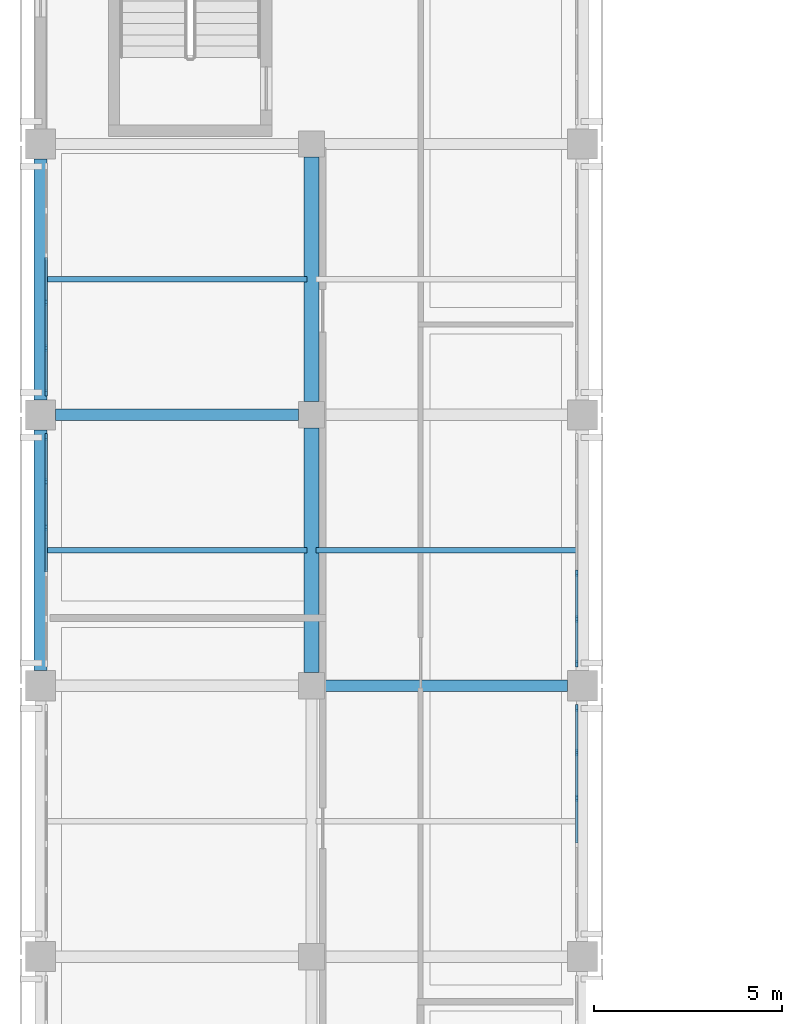
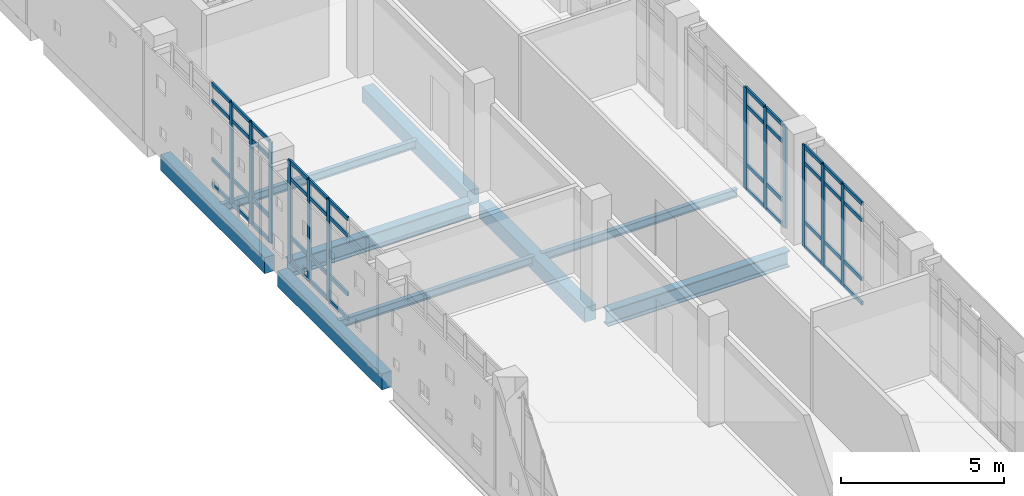
# One storey, part 11 of 33: 56 members, 9 beams, 4 elements without a shape of their own.
"""IFC4 building model written with IfcOpenShell, lengths in metres."""

import ifcopenshell
import ifcopenshell.guid

model = None  # the IFC model being written
_history = None  # IfcOwnerHistory: only IFC2X3 demands one
_inside = {}  # id of a spatial element -> (the spatial element, [elements in it])
_under = {}  # id of a project, library or spatial element -> (it, [spatial elements below it])
_declared = {}  # id of a project -> (the project, [libraries it declares])
_typed = {}  # id of a type object -> (the type object, [elements of that type])
_made_of = {}  # id of a material, layer set ... -> (it, [elements and type objects made of it])


def new_model(schema):
    """Start an empty IFC model of exactly this schema.

    Asked for "IFC4X3", IfcOpenShell would pick the latest addendum, in which some entities
    have other attributes; the version numbers below select the first issue.
    IFC2X3 requires an IfcOwnerHistory on every rooted entity: one is made here for all.
    """
    global model, _history
    if schema == "IFC4X3":
        model = ifcopenshell.file(schema_version=(4, 3, 0, 0))
    else:
        model = ifcopenshell.file(schema=schema)
    _inside.clear()
    _under.clear()
    _declared.clear()
    _typed.clear()
    _made_of.clear()
    _history = None
    if model.schema == "IFC2X3":
        org = make("IfcOrganization", Name="unknown")
        user = make(
            "IfcPersonAndOrganization",
            ThePerson=make("IfcPerson", FamilyName="unknown"),
            TheOrganization=org,
        )
        app = make(
            "IfcApplication",
            ApplicationDeveloper=org,
            Version="unknown",
            ApplicationFullName="unknown",
            ApplicationIdentifier="unknown",
        )
        _history = make(
            "IfcOwnerHistory",
            OwningUser=user,
            OwningApplication=app,
            ChangeAction="ADDED",
            CreationDate=0,
        )
    return model


def make(cls, **values):
    """One entity of the class cls with the attributes given. An attribute that is None is left unset."""
    return model.create_entity(
        cls, **{name: value for name, value in values.items() if value is not None}
    )


def rooted(cls, **values):
    """An entity with a GlobalId (a new one), such as an element, a storey or a relation."""
    return make(cls, GlobalId=ifcopenshell.guid.new(), OwnerHistory=_history, **values)


def si_unit(unit_type, name, prefix=None):
    """IfcSIUnit, for example si_unit("LENGTHUNIT", "METRE", prefix="MILLI")."""
    return make("IfcSIUnit", UnitType=unit_type, Prefix=prefix, Name=name)


def assignment(units):
    """IfcUnitAssignment: the units of a project."""
    return None if units is None else make("IfcUnitAssignment", Units=units)


def point(xyz):
    """IfcCartesianPoint."""
    return None if xyz is None else make("IfcCartesianPoint", Coordinates=xyz)


def direction(xyz):
    """IfcDirection."""
    return None if xyz is None else make("IfcDirection", DirectionRatios=xyz)


def frame(location, z_axis=None, x_axis=None):
    """IfcAxis2Placement3D, a coordinate frame: its origin and axes. An axis left out is left unset."""
    return make(
        "IfcAxis2Placement3D",
        Location=point(location),
        Axis=direction(z_axis),
        RefDirection=direction(x_axis),
    )


def frame_2d(location, x_axis=None):
    """IfcAxis2Placement2D, a coordinate frame in the plane: its origin and x axis."""
    return make(
        "IfcAxis2Placement2D", Location=point(location), RefDirection=direction(x_axis)
    )


def origin():
    """The frame at (0, 0, 0) with its axes left unset."""
    return frame((0.0, 0.0, 0.0))


def origin_2d():
    """The frame at (0, 0) in the plane with its x axis left unset."""
    return frame_2d((0.0, 0.0))


def place(relative_to, where):
    """IfcLocalPlacement: puts the frame where relative to a parent placement (None: the world)."""
    return make(
        "IfcLocalPlacement", PlacementRelTo=relative_to, RelativePlacement=where
    )


def context(
    kind, dimensions, precision=None, world=None, true_north=None, identifier=None
):
    """IfcGeometricRepresentationContext, for example the 3D "Model" context."""
    return make(
        "IfcGeometricRepresentationContext",
        ContextIdentifier=identifier,
        ContextType=kind,
        CoordinateSpaceDimension=dimensions,
        Precision=precision,
        WorldCoordinateSystem=world,
        TrueNorth=true_north,
    )


def subcontext(parent, identifier, kind, view, scale=None):
    """IfcGeometricRepresentationSubContext, for example "Body" below "Model"."""
    return make(
        "IfcGeometricRepresentationSubContext",
        ContextIdentifier=identifier,
        ContextType=kind,
        ParentContext=parent,
        TargetScale=scale,
        TargetView=view,
    )


def project(units=None, contexts=None):
    """IfcProject with its units and contexts."""
    return rooted(
        "IfcProject",
        Name="project",
        RepresentationContexts=contexts,
        UnitsInContext=assignment(units),
    )


def spatial(cls, under=None, at=None, **own):
    """A site, building, storey or space (cls), placed at a placement, below another one or the project."""
    s = rooted(cls, ObjectPlacement=at, **own)
    if under is not None:
        _under.setdefault(under.id(), (under, []))[1].append(s)
    return s


def profile(cls, at=None, kind="AREA", **sizes):
    """A parametric profile (cls). Its sizes go by their IFC names, for example OverallWidth=200.0."""
    return make(cls, ProfileType=kind, Position=at, **sizes)


def rectangle(**sizes):
    """IfcRectangleProfileDef."""
    return profile("IfcRectangleProfileDef", **sizes)


def i_section(**sizes):
    """IfcIShapeProfileDef."""
    return profile("IfcIShapeProfileDef", **sizes)


def extrude(swept, where, along, depth):
    """IfcExtrudedAreaSolid: the profile swept, set in the frame where, extruded along a direction by depth."""
    return make(
        "IfcExtrudedAreaSolid",
        SweptArea=swept,
        Position=where,
        ExtrudedDirection=direction(along),
        Depth=depth,
    )


def shape(context_of_items, identifier, shape_type, items):
    """IfcShapeRepresentation: the items that make up one representation, for example the "Body"."""
    return make(
        "IfcShapeRepresentation",
        ContextOfItems=context_of_items,
        RepresentationIdentifier=identifier,
        RepresentationType=shape_type,
        Items=items,
    )


def material(Name=None, Category=None):
    """IfcMaterial."""
    return make("IfcMaterial", Name=Name, Category=Category)


def layer(
    of_material, thickness, ventilated=None, Name=None, Category=None, Priority=None
):
    """IfcMaterialLayer: one layer of a wall or slab, of a material (None: an air gap)."""
    return make(
        "IfcMaterialLayer",
        Material=of_material,
        LayerThickness=thickness,
        IsVentilated=ventilated,
        Name=Name,
        Category=Category,
        Priority=Priority,
    )


def layer_set(layers, Name=None):
    """IfcMaterialLayerSet."""
    return make("IfcMaterialLayerSet", MaterialLayers=layers, LayerSetName=Name)


def material_profile(
    of_material, cross_section, Name=None, Category=None, Priority=None
):
    """IfcMaterialProfile: a cross section and its material."""
    return make(
        "IfcMaterialProfile",
        Name=Name,
        Material=of_material,
        Profile=cross_section,
        Priority=Priority,
        Category=Category,
    )


def profile_set(profiles, Name=None, composite=None):
    """IfcMaterialProfileSet."""
    return make(
        "IfcMaterialProfileSet",
        Name=Name,
        MaterialProfiles=profiles,
        CompositeProfile=composite,
    )


def made_of(thing, what):
    """Note that an element or type object is made of a material, layer set ...; save() writes the relation."""
    if what is not None:
        _made_of.setdefault(what.id(), (what, []))[1].append(thing)
    return thing


def type_object(cls, material=None, **own):
    """A type object (cls), such as IfcWallType, which elements share."""
    return made_of(rooted(cls, **own), material)


def element(
    cls,
    number,
    at=None,
    inside=None,
    cuts=None,
    type_object=None,
    material=None,
    context=None,
    identifier="Body",
    shape_type=None,
    held_by="IfcProductDefinitionShape",
    body=None,
    shapes=None,
    **own,
):
    """One element of the class cls, such as IfcWall. Its Tag is "e" and its number.

    at: its placement. inside: the storey or other place that contains it. cuts: it is an
    opening in that element (IfcRelVoidsElement). A single representation is given by context,
    identifier, shape_type and body (its items); several are given by shapes. held_by: the class
    of the entity that holds the representations. save() writes the other relations.
    """
    e = rooted(cls, Tag="e%d" % number, ObjectPlacement=at, **own)
    if body is not None:
        shapes = [shape(context, identifier, shape_type, body)]
    if shapes is not None:
        e.Representation = make(held_by, Representations=shapes)
    if inside is not None:
        _inside.setdefault(inside.id(), (inside, []))[1].append(e)
    if cuts is not None:
        rooted(
            "IfcRelVoidsElement", RelatingBuildingElement=cuts, RelatedOpeningElement=e
        )
    if type_object is not None:
        _typed.setdefault(type_object.id(), (type_object, []))[1].append(e)
    return made_of(e, material)


def aggregate(whole, parts):
    """IfcRelAggregates: a whole, such as a stair, and the parts it consists of."""
    return rooted("IfcRelAggregates", RelatingObject=whole, RelatedObjects=parts)


def save(model, path):
    """Write the relations noted so far, then the file.

    IfcRelAggregates (storeys below a building ...), IfcRelContainedInSpatialStructure (elements
    in a storey), IfcRelDefinesByType, IfcRelAssociatesMaterial and IfcRelDeclares: one each for
    every whole, place, type object, material and project.
    """
    for whole, parts in _under.values():
        aggregate(whole, parts)
    for where, things in _inside.values():
        rooted(
            "IfcRelContainedInSpatialStructure",
            RelatedElements=things,
            RelatingStructure=where,
        )
    for kind, things in _typed.values():
        rooted("IfcRelDefinesByType", RelatedObjects=things, RelatingType=kind)
    for what, things in _made_of.values():
        rooted("IfcRelAssociatesMaterial", RelatedObjects=things, RelatingMaterial=what)
    for by, libraries in _declared.values():
        rooted("IfcRelDeclares", RelatingContext=by, RelatedDefinitions=libraries)
    model.write(path)


model = new_model("IFC4")

# Units and contexts
model_context = context("Model", 3, precision=1e-05, world=origin(), true_north=direction((0.0, 1.0)))
body_context = subcontext(model_context, "Body", "Model", "MODEL_VIEW")
ifc_project = project(units=[si_unit("LENGTHUNIT", "METRE"), si_unit("AREAUNIT", "SQUARE_METRE"), si_unit("VOLUMEUNIT", "CUBIC_METRE"), si_unit("PLANEANGLEUNIT", "RADIAN"), si_unit("MASSUNIT", "GRAM", prefix="KILO")], contexts=[model_context])

# Site, building, storey
site_placement = place(None, origin())
site = spatial("IfcSite", under=ifc_project, at=site_placement, CompositionType="ELEMENT")
building_placement = place(site_placement, origin())
building = spatial("IfcBuilding", under=site, at=building_placement, Name="Valkovuoma Quantum and Materials Research Institute", CompositionType="ELEMENT")
storey_placement = place(building_placement, frame((0.0, 0.0, 25.60009765625)))
storey = spatial("IfcBuildingStorey", under=building, at=storey_placement, Name="L06", CompositionType="ELEMENT", Elevation=25.60009765625)

# Beams
ifc_material_1 = material(Name="Steel S355J2", Category="steel")
ifc_material_profile_1 = material_profile(ifc_material_1, i_section(OverallWidth=0.300048828125, OverallDepth=0.60009765625, WebThickness=0.015380859375, FlangeThickness=0.030029296875, FilletRadius=0.027099609375, at=origin_2d()), Name="Steel S355J2")
ifc_profile_set_1 = profile_set([ifc_material_profile_1], Name="Steel S355J2")
beam_type_1 = type_object("IfcBeamType", Name="Beam-B-HEB600", PredefinedType="BEAM", material=ifc_profile_set_1)
beam_1_placement = place(storey_placement, frame((7.550048828125, 57.60009765625, -0.650146484375), z_axis=(1.0, 0.0, 0.0), x_axis=(0.0, 1.0, 0.0)))
element("IfcBeam", 1, at=beam_1_placement, inside=storey, type_object=beam_type_1, Name="L06 beam X-2331", PredefinedType="BEAM", context=body_context, shape_type="SweptSolid", body=[
    extrude(i_section(OverallWidth=0.300048828125, OverallDepth=0.60009765625, WebThickness=0.015380859375, FlangeThickness=0.030029296875, FilletRadius=0.027099609375, at=origin_2d()), origin(), (0.0, 0.0, 1.0), 6.449951171875),
])
beam_2_placement = place(storey_placement, frame((0.39990234375, 64.800048828125, -0.650146484375), z_axis=(1.0, 0.0, 0.0), x_axis=(0.0, 1.0, 0.0)))
element("IfcBeam", 2, at=beam_2_placement, inside=storey, type_object=beam_type_1, Name="L06 beam X-2337", PredefinedType="BEAM", context=body_context, shape_type="SweptSolid", body=[
    extrude(i_section(OverallWidth=0.300048828125, OverallDepth=0.60009765625, WebThickness=0.015380859375, FlangeThickness=0.030029296875, FilletRadius=0.027099609375, at=origin_2d()), origin(), (0.0, 0.0, 1.0), 6.4501953125),
])
ifc_material_2 = material(Name="Steel S355J2", Category="steel")
ifc_material_profile_2 = material_profile(ifc_material_2, i_section(OverallWidth=0.14990234375, OverallDepth=0.300048828125, WebThickness=0.007080078125, FlangeThickness=0.0107421875, FilletRadius=0.014892578125, at=origin_2d()), Name="Steel S355J2")
ifc_profile_set_2 = profile_set([ifc_material_profile_2], Name="Steel S355J2")
beam_type_2 = type_object("IfcBeamType", Name="Beam-B-JST300", PredefinedType="JOIST", material=ifc_profile_set_2)
for number, where, z_axis, x_axis, name in (
    (3, (0.1201171875, 61.199951171875, -0.5), (1.0, 0.0, 0.0), (0.0, 1.0, 0.0), "L06 floor joist 2448"),
    (4, (7.320068359375, 61.199951171875, -0.5), (1.0, 0.0, 0.0), (0.0, 1.0, 0.0), "L06 floor joist 2449"),
    (5, (0.1201171875, 68.39990234375, -0.5), (1.0, 0.0, 0.0), (0.0, 1.0, 0.0), "L06 floor joist 2454"),
):
    element("IfcBeam", number, at=place(storey_placement, frame(where, z_axis=z_axis, x_axis=x_axis)), inside=storey, type_object=beam_type_2, Name=name, PredefinedType="JOIST", context=body_context, shape_type="SweptSolid", body=[
        extrude(i_section(OverallWidth=0.14990234375, OverallDepth=0.300048828125, WebThickness=0.007080078125, FlangeThickness=0.0107421875, FilletRadius=0.014892578125, at=origin_2d()), origin(), (0.0, 0.0, 1.0), 6.9599609375),
    ])
ifc_material_3 = material(Name="Concrete C40/50", Category="concrete")
ifc_material_profile_3 = material_profile(ifc_material_3, rectangle(XDim=0.39990234375, YDim=0.550048828125, at=origin_2d()), Name="Concrete C40/50")
ifc_profile_set_3 = profile_set([ifc_material_profile_3], Name="Concrete C40/50")
beam_type_3 = type_object("IfcBeamType", Name="Beam-B-RC550", PredefinedType="BEAM", material=ifc_profile_set_3)
for number, where, z_axis, x_axis, name in (
    (6, (7.199951171875, 57.949951171875, -0.625), (0.0, 1.0, 0.0), (-1.0, 0.0, 0.0), "L06 beam Y-2389"),
    (7, (7.199951171875, 65.14990234375, -0.625), (0.0, 1.0, 0.0), (-1.0, 0.0, 0.0), "L06 beam Y-2390"),
):
    element("IfcBeam", number, at=place(storey_placement, frame(where, z_axis=z_axis, x_axis=x_axis)), inside=storey, type_object=beam_type_3, Name=name, PredefinedType="BEAM", context=body_context, shape_type="SweptSolid", body=[
        extrude(rectangle(XDim=0.39990234375, YDim=0.550048828125, at=origin_2d()), origin(), (0.0, 0.0, 1.0), 6.5),
    ])
ifc_material_4 = material(Name="Concrete C40/50", Category="concrete")
ifc_material_profile_4 = material_profile(ifc_material_4, rectangle(XDim=0.35009765625, YDim=0.60009765625, at=origin_2d()), Name="Concrete C40/50")
ifc_profile_set_4 = profile_set([ifc_material_profile_4], Name="Concrete C40/50")
beam_type_4 = type_object("IfcBeamType", Name="Beam-B-SPN600", PredefinedType="SPANDREL", material=ifc_profile_set_4)
beam_3_placement = place(storey_placement, frame((0.0, 58.0, -0.650146484375), z_axis=(0.0, 1.0, 0.0), x_axis=(-1.0, 0.0, 0.0)))
element("IfcBeam", 8, at=beam_3_placement, inside=storey, type_object=beam_type_4, Name="L06 beam Y-2384", PredefinedType="SPANDREL", context=body_context, shape_type="SweptSolid", body=[
    extrude(rectangle(XDim=0.35009765625, YDim=0.60009765625, at=origin_2d()), origin(), (0.0, 0.0, 1.0), 6.39990234375),
])
beam_4_placement = place(storey_placement, frame((0.0, 65.199951171875, -0.650146484375), z_axis=(0.0, 1.0, 0.0), x_axis=(-1.0, 0.0, 0.0)))
element("IfcBeam", 9, at=beam_4_placement, inside=storey, type_object=beam_type_4, Name="L06 beam Y-2385", PredefinedType="SPANDREL", context=body_context, shape_type="SweptSolid", body=[
    extrude(rectangle(XDim=0.35009765625, YDim=0.60009765625, at=origin_2d()), origin(), (0.0, 0.0, 1.0), 6.400146484375),
])

# Curtain wall, members
ifc_material_5 = material(Name="Thermally broken aluminium and triple low-E glazing", Category="aluminium")
ifc_layer = layer(ifc_material_5, 0.219970703125)
ifc_layer_set = layer_set([ifc_layer], Name="Thermally broken aluminium and triple low-E glazing")
curtain_wall_type = type_object("IfcCurtainWallType", Name="CW-CW-01", PredefinedType="NOTDEFINED", material=ifc_layer_set)
curtain_wall_1_placement = place(storey_placement, origin())
curtain_wall_1 = element("IfcCurtainWall", 10, at=curtain_wall_1_placement, inside=storey, type_object=curtain_wall_type, Name="L06 curtain wall 081", PredefinedType="NOTDEFINED")
ifc_material_6 = material(Name="Anodised aluminium 6060-T66", Category="aluminium")
ifc_material_profile_5 = material_profile(ifc_material_6, rectangle(XDim=0.06494140625, YDim=0.179931640625, at=origin_2d()), Name="Anodised aluminium 6060-T66")
ifc_profile_set_5 = profile_set([ifc_material_profile_5], Name="Anodised aluminium 6060-T66")
member_type_1 = type_object("IfcMemberType", Name="CWMull-CWM-01", PredefinedType="MULLION", material=ifc_profile_set_5)
member_1_placement = place(storey_placement, frame((14.25, 54.608642578125, 0.0), z_axis=(0.0, 0.0, 1.0), x_axis=(-1.0, 0.0, 0.0)))
member_1 = element("IfcMember", 11, at=member_1_placement, type_object=member_type_1, Name="CW-01 mullion 4", PredefinedType="MULLION", context=body_context, shape_type="SweptSolid", body=[
    extrude(rectangle(XDim=0.06494140625, YDim=0.179931640625, at=origin_2d()), origin(), (0.0, 0.0, 1.0), 3.809814453125),
])
member_2_placement = place(storey_placement, frame((14.25, 55.82568359375, 0.0), z_axis=(0.0, 0.0, 1.0), x_axis=(-1.0, 0.0, 0.0)))
member_2 = element("IfcMember", 12, at=member_2_placement, type_object=member_type_1, Name="CW-01 mullion 5", PredefinedType="MULLION", context=body_context, shape_type="SweptSolid", body=[
    extrude(rectangle(XDim=0.06494140625, YDim=0.179931640625, at=origin_2d()), origin(), (0.0, 0.0, 1.0), 3.809814453125),
])
member_3_placement = place(storey_placement, frame((14.25, 57.010498046875, 0.0), z_axis=(0.0, 0.0, 1.0), x_axis=(-1.0, 0.0, 0.0)))
member_3 = element("IfcMember", 13, at=member_3_placement, type_object=member_type_1, Name="CW-01 mullion 6", PredefinedType="MULLION", context=body_context, shape_type="SweptSolid", body=[
    extrude(rectangle(XDim=0.06494140625, YDim=0.179931640625, at=origin_2d()), origin(), (0.0, 0.0, 1.0), 3.809814453125),
])

curtain_wall_2_placement = place(storey_placement, origin())
curtain_wall_2 = element("IfcCurtainWall", 14, at=curtain_wall_2_placement, inside=storey, type_object=curtain_wall_type, Name="L06 curtain wall 082", PredefinedType="NOTDEFINED")
member_4_placement = place(storey_placement, frame((0.14990234375, 61.80859375, 0.0), z_axis=(0.0, 0.0, 1.0), x_axis=(-1.0, 0.0, 0.0)))
member_4 = element("IfcMember", 15, at=member_4_placement, type_object=member_type_1, Name="CW-01 mullion 4", PredefinedType="MULLION", context=body_context, shape_type="SweptSolid", body=[
    extrude(rectangle(XDim=0.06494140625, YDim=0.179931640625, at=origin_2d()), origin(), (0.0, 0.0, 1.0), 3.809814453125),
])
member_5_placement = place(storey_placement, frame((0.14990234375, 63.025634765625, 0.0), z_axis=(0.0, 0.0, 1.0), x_axis=(-1.0, 0.0, 0.0)))
member_5 = element("IfcMember", 16, at=member_5_placement, type_object=member_type_1, Name="CW-01 mullion 5", PredefinedType="MULLION", context=body_context, shape_type="SweptSolid", body=[
    extrude(rectangle(XDim=0.06494140625, YDim=0.179931640625, at=origin_2d()), origin(), (0.0, 0.0, 1.0), 3.809814453125),
])
member_6_placement = place(storey_placement, frame((0.14990234375, 64.21044921875, 0.0), z_axis=(0.0, 0.0, 1.0), x_axis=(-1.0, 0.0, 0.0)))
member_6 = element("IfcMember", 17, at=member_6_placement, type_object=member_type_1, Name="CW-01 mullion 6", PredefinedType="MULLION", context=body_context, shape_type="SweptSolid", body=[
    extrude(rectangle(XDim=0.06494140625, YDim=0.179931640625, at=origin_2d()), origin(), (0.0, 0.0, 1.0), 3.809814453125),
])

curtain_wall_3_placement = place(storey_placement, origin())
curtain_wall_3 = element("IfcCurtainWall", 18, at=curtain_wall_3_placement, inside=storey, type_object=curtain_wall_type, Name="L06 curtain wall 083", PredefinedType="NOTDEFINED")
member_7_placement = place(storey_placement, frame((14.25, 58.189697265625, 0.0), z_axis=(0.0, 0.0, 1.0), x_axis=(-1.0, 0.0, 0.0)))
member_7 = element("IfcMember", 19, at=member_7_placement, type_object=member_type_1, Name="CW-01 mullion 1", PredefinedType="MULLION", context=body_context, shape_type="SweptSolid", body=[
    extrude(rectangle(XDim=0.06494140625, YDim=0.179931640625, at=origin_2d()), origin(), (0.0, 0.0, 1.0), 3.809814453125),
])
member_8_placement = place(storey_placement, frame((14.25, 59.374267578125, 0.0), z_axis=(0.0, 0.0, 1.0), x_axis=(-1.0, 0.0, 0.0)))
member_8 = element("IfcMember", 20, at=member_8_placement, type_object=member_type_1, Name="CW-01 mullion 2", PredefinedType="MULLION", context=body_context, shape_type="SweptSolid", body=[
    extrude(rectangle(XDim=0.06494140625, YDim=0.179931640625, at=origin_2d()), origin(), (0.0, 0.0, 1.0), 3.809814453125),
])
member_9_placement = place(storey_placement, frame((14.25, 60.59130859375, 0.0), z_axis=(0.0, 0.0, 1.0), x_axis=(-1.0, 0.0, 0.0)))
member_9 = element("IfcMember", 21, at=member_9_placement, type_object=member_type_1, Name="CW-01 mullion 3", PredefinedType="MULLION", context=body_context, shape_type="SweptSolid", body=[
    extrude(rectangle(XDim=0.06494140625, YDim=0.179931640625, at=origin_2d()), origin(), (0.0, 0.0, 1.0), 3.809814453125),
])

curtain_wall_4_placement = place(storey_placement, origin())
curtain_wall_4 = element("IfcCurtainWall", 22, at=curtain_wall_4_placement, inside=storey, type_object=curtain_wall_type, Name="L06 curtain wall 084", PredefinedType="NOTDEFINED")
member_10_placement = place(storey_placement, frame((0.14990234375, 65.3896484375, 0.0), z_axis=(0.0, 0.0, 1.0), x_axis=(-1.0, 0.0, 0.0)))
member_10 = element("IfcMember", 23, at=member_10_placement, type_object=member_type_1, Name="CW-01 mullion 1", PredefinedType="MULLION", context=body_context, shape_type="SweptSolid", body=[
    extrude(rectangle(XDim=0.06494140625, YDim=0.179931640625, at=origin_2d()), origin(), (0.0, 0.0, 1.0), 3.809814453125),
])
member_11_placement = place(storey_placement, frame((0.14990234375, 66.57421875, 0.0), z_axis=(0.0, 0.0, 1.0), x_axis=(-1.0, 0.0, 0.0)))
member_11 = element("IfcMember", 24, at=member_11_placement, type_object=member_type_1, Name="CW-01 mullion 2", PredefinedType="MULLION", context=body_context, shape_type="SweptSolid", body=[
    extrude(rectangle(XDim=0.06494140625, YDim=0.179931640625, at=origin_2d()), origin(), (0.0, 0.0, 1.0), 3.809814453125),
])
member_12_placement = place(storey_placement, frame((0.14990234375, 67.79150390625, 0.0), z_axis=(0.0, 0.0, 1.0), x_axis=(-1.0, 0.0, 0.0)))
member_12 = element("IfcMember", 25, at=member_12_placement, type_object=member_type_1, Name="CW-01 mullion 3", PredefinedType="MULLION", context=body_context, shape_type="SweptSolid", body=[
    extrude(rectangle(XDim=0.06494140625, YDim=0.179931640625, at=origin_2d()), origin(), (0.0, 0.0, 1.0), 3.809814453125),
])

# Member
ifc_material_7 = material(Name="Anodised aluminium 6060-T66", Category="aluminium")
ifc_material_profile_6 = material_profile(ifc_material_7, rectangle(XDim=0.06494140625, YDim=0.139892578125, at=origin_2d()), Name="Anodised aluminium 6060-T66")
ifc_profile_set_6 = profile_set([ifc_material_profile_6], Name="Anodised aluminium 6060-T66")
member_type_2 = type_object("IfcMemberType", Name="CWTran-CWT-01", PredefinedType="USERDEFINED", material=ifc_profile_set_6)
member_13_placement = place(storey_placement, frame((14.25, 53.423828125, 0.032470703125), z_axis=(0.0, 1.0, 0.0), x_axis=(-1.0, 0.0, 0.0)))
member_13 = element("IfcMember", 26, at=member_13_placement, type_object=member_type_2, Name="CW-01 transom 3.1", ObjectType="TRANSOM", PredefinedType="USERDEFINED", context=body_context, shape_type="SweptSolid", body=[
    extrude(rectangle(XDim=0.06494140625, YDim=0.139892578125, at=origin_2d()), origin(), (0.0, 0.0, 1.0), 1.15234375),
])

member_14_placement = place(storey_placement, frame((14.25, 53.423828125, 0.949951171875), z_axis=(0.0, 1.0, 0.0), x_axis=(-1.0, 0.0, 0.0)))
member_14 = element("IfcMember", 27, at=member_14_placement, type_object=member_type_2, Name="CW-01 transom 3.2", ObjectType="TRANSOM", PredefinedType="USERDEFINED", context=body_context, shape_type="SweptSolid", body=[
    extrude(rectangle(XDim=0.06494140625, YDim=0.139892578125, at=origin_2d()), origin(), (0.0, 0.0, 1.0), 1.15234375),
])

member_15_placement = place(storey_placement, frame((14.25, 53.423828125, 3.159912109375), z_axis=(0.0, 1.0, 0.0), x_axis=(-1.0, 0.0, 0.0)))
member_15 = element("IfcMember", 28, at=member_15_placement, type_object=member_type_2, Name="CW-01 transom 3.3", ObjectType="TRANSOM", PredefinedType="USERDEFINED", context=body_context, shape_type="SweptSolid", body=[
    extrude(rectangle(XDim=0.06494140625, YDim=0.139892578125, at=origin_2d()), origin(), (0.0, 0.0, 1.0), 1.15234375),
])

member_16_placement = place(storey_placement, frame((14.25, 53.423828125, 3.77734375), z_axis=(0.0, 1.0, 0.0), x_axis=(-1.0, 0.0, 0.0)))
member_16 = element("IfcMember", 29, at=member_16_placement, type_object=member_type_2, Name="CW-01 transom 3.4", ObjectType="TRANSOM", PredefinedType="USERDEFINED", context=body_context, shape_type="SweptSolid", body=[
    extrude(rectangle(XDim=0.06494140625, YDim=0.139892578125, at=origin_2d()), origin(), (0.0, 0.0, 1.0), 1.15234375),
])

member_17_placement = place(storey_placement, frame((14.25, 54.64111328125, 0.032470703125), z_axis=(0.0, 1.0, 0.0), x_axis=(-1.0, 0.0, 0.0)))
member_17 = element("IfcMember", 30, at=member_17_placement, type_object=member_type_2, Name="CW-01 transom 4.1", ObjectType="TRANSOM", PredefinedType="USERDEFINED", context=body_context, shape_type="SweptSolid", body=[
    extrude(rectangle(XDim=0.06494140625, YDim=0.139892578125, at=origin_2d()), origin(), (0.0, 0.0, 1.0), 1.152099609375),
])

member_18_placement = place(storey_placement, frame((14.25, 54.64111328125, 0.949951171875), z_axis=(0.0, 1.0, 0.0), x_axis=(-1.0, 0.0, 0.0)))
member_18 = element("IfcMember", 31, at=member_18_placement, type_object=member_type_2, Name="CW-01 transom 4.2", ObjectType="TRANSOM", PredefinedType="USERDEFINED", context=body_context, shape_type="SweptSolid", body=[
    extrude(rectangle(XDim=0.06494140625, YDim=0.139892578125, at=origin_2d()), origin(), (0.0, 0.0, 1.0), 1.152099609375),
])

member_19_placement = place(storey_placement, frame((14.25, 54.64111328125, 3.159912109375), z_axis=(0.0, 1.0, 0.0), x_axis=(-1.0, 0.0, 0.0)))
member_19 = element("IfcMember", 32, at=member_19_placement, type_object=member_type_2, Name="CW-01 transom 4.3", ObjectType="TRANSOM", PredefinedType="USERDEFINED", context=body_context, shape_type="SweptSolid", body=[
    extrude(rectangle(XDim=0.06494140625, YDim=0.139892578125, at=origin_2d()), origin(), (0.0, 0.0, 1.0), 1.152099609375),
])

member_20_placement = place(storey_placement, frame((14.25, 54.64111328125, 3.77734375), z_axis=(0.0, 1.0, 0.0), x_axis=(-1.0, 0.0, 0.0)))
member_20 = element("IfcMember", 33, at=member_20_placement, type_object=member_type_2, Name="CW-01 transom 4.4", ObjectType="TRANSOM", PredefinedType="USERDEFINED", context=body_context, shape_type="SweptSolid", body=[
    extrude(rectangle(XDim=0.06494140625, YDim=0.139892578125, at=origin_2d()), origin(), (0.0, 0.0, 1.0), 1.152099609375),
])

member_21_placement = place(storey_placement, frame((14.25, 55.858154296875, 0.032470703125), z_axis=(0.0, 1.0, 0.0), x_axis=(-1.0, 0.0, 0.0)))
member_21 = element("IfcMember", 34, at=member_21_placement, type_object=member_type_2, Name="CW-01 transom 5.1", ObjectType="TRANSOM", PredefinedType="USERDEFINED", context=body_context, shape_type="SweptSolid", body=[
    extrude(rectangle(XDim=0.06494140625, YDim=0.139892578125, at=origin_2d()), origin(), (0.0, 0.0, 1.0), 1.11962890625),
])

member_22_placement = place(storey_placement, frame((14.25, 55.858154296875, 0.949951171875), z_axis=(0.0, 1.0, 0.0), x_axis=(-1.0, 0.0, 0.0)))
member_22 = element("IfcMember", 35, at=member_22_placement, type_object=member_type_2, Name="CW-01 transom 5.2", ObjectType="TRANSOM", PredefinedType="USERDEFINED", context=body_context, shape_type="SweptSolid", body=[
    extrude(rectangle(XDim=0.06494140625, YDim=0.139892578125, at=origin_2d()), origin(), (0.0, 0.0, 1.0), 1.11962890625),
])

member_23_placement = place(storey_placement, frame((14.25, 55.858154296875, 3.159912109375), z_axis=(0.0, 1.0, 0.0), x_axis=(-1.0, 0.0, 0.0)))
member_23 = element("IfcMember", 36, at=member_23_placement, type_object=member_type_2, Name="CW-01 transom 5.3", ObjectType="TRANSOM", PredefinedType="USERDEFINED", context=body_context, shape_type="SweptSolid", body=[
    extrude(rectangle(XDim=0.06494140625, YDim=0.139892578125, at=origin_2d()), origin(), (0.0, 0.0, 1.0), 1.11962890625),
])

member_24_placement = place(storey_placement, frame((14.25, 55.858154296875, 3.77734375), z_axis=(0.0, 1.0, 0.0), x_axis=(-1.0, 0.0, 0.0)))
member_24 = element("IfcMember", 37, at=member_24_placement, type_object=member_type_2, Name="CW-01 transom 5.4", ObjectType="TRANSOM", PredefinedType="USERDEFINED", context=body_context, shape_type="SweptSolid", body=[
    extrude(rectangle(XDim=0.06494140625, YDim=0.139892578125, at=origin_2d()), origin(), (0.0, 0.0, 1.0), 1.11962890625),
])

aggregate(curtain_wall_1, [member_1, member_2, member_3, member_13, member_14, member_15, member_16, member_17, member_18, member_19, member_20, member_21, member_22, member_23, member_24])

member_25_placement = place(storey_placement, frame((0.14990234375, 60.6240234375, 0.032470703125), z_axis=(0.0, 1.0, 0.0), x_axis=(-1.0, 0.0, 0.0)))
member_25 = element("IfcMember", 38, at=member_25_placement, type_object=member_type_2, Name="CW-01 transom 3.1", ObjectType="TRANSOM", PredefinedType="USERDEFINED", context=body_context, shape_type="SweptSolid", body=[
    extrude(rectangle(XDim=0.06494140625, YDim=0.139892578125, at=origin_2d()), origin(), (0.0, 0.0, 1.0), 1.152099609375),
])

member_26_placement = place(storey_placement, frame((0.14990234375, 60.6240234375, 0.949951171875), z_axis=(0.0, 1.0, 0.0), x_axis=(-1.0, 0.0, 0.0)))
member_26 = element("IfcMember", 39, at=member_26_placement, type_object=member_type_2, Name="CW-01 transom 3.2", ObjectType="TRANSOM", PredefinedType="USERDEFINED", context=body_context, shape_type="SweptSolid", body=[
    extrude(rectangle(XDim=0.06494140625, YDim=0.139892578125, at=origin_2d()), origin(), (0.0, 0.0, 1.0), 1.152099609375),
])

member_27_placement = place(storey_placement, frame((0.14990234375, 60.6240234375, 3.159912109375), z_axis=(0.0, 1.0, 0.0), x_axis=(-1.0, 0.0, 0.0)))
member_27 = element("IfcMember", 40, at=member_27_placement, type_object=member_type_2, Name="CW-01 transom 3.3", ObjectType="TRANSOM", PredefinedType="USERDEFINED", context=body_context, shape_type="SweptSolid", body=[
    extrude(rectangle(XDim=0.06494140625, YDim=0.139892578125, at=origin_2d()), origin(), (0.0, 0.0, 1.0), 1.152099609375),
])

member_28_placement = place(storey_placement, frame((0.14990234375, 60.6240234375, 3.77734375), z_axis=(0.0, 1.0, 0.0), x_axis=(-1.0, 0.0, 0.0)))
member_28 = element("IfcMember", 41, at=member_28_placement, type_object=member_type_2, Name="CW-01 transom 3.4", ObjectType="TRANSOM", PredefinedType="USERDEFINED", context=body_context, shape_type="SweptSolid", body=[
    extrude(rectangle(XDim=0.06494140625, YDim=0.139892578125, at=origin_2d()), origin(), (0.0, 0.0, 1.0), 1.152099609375),
])

member_29_placement = place(storey_placement, frame((0.14990234375, 61.841064453125, 0.032470703125), z_axis=(0.0, 1.0, 0.0), x_axis=(-1.0, 0.0, 0.0)))
member_29 = element("IfcMember", 42, at=member_29_placement, type_object=member_type_2, Name="CW-01 transom 4.1", ObjectType="TRANSOM", PredefinedType="USERDEFINED", context=body_context, shape_type="SweptSolid", body=[
    extrude(rectangle(XDim=0.06494140625, YDim=0.139892578125, at=origin_2d()), origin(), (0.0, 0.0, 1.0), 1.152099609375),
])

member_30_placement = place(storey_placement, frame((0.14990234375, 61.841064453125, 0.949951171875), z_axis=(0.0, 1.0, 0.0), x_axis=(-1.0, 0.0, 0.0)))
member_30 = element("IfcMember", 43, at=member_30_placement, type_object=member_type_2, Name="CW-01 transom 4.2", ObjectType="TRANSOM", PredefinedType="USERDEFINED", context=body_context, shape_type="SweptSolid", body=[
    extrude(rectangle(XDim=0.06494140625, YDim=0.139892578125, at=origin_2d()), origin(), (0.0, 0.0, 1.0), 1.152099609375),
])

member_31_placement = place(storey_placement, frame((0.14990234375, 61.841064453125, 3.159912109375), z_axis=(0.0, 1.0, 0.0), x_axis=(-1.0, 0.0, 0.0)))
member_31 = element("IfcMember", 44, at=member_31_placement, type_object=member_type_2, Name="CW-01 transom 4.3", ObjectType="TRANSOM", PredefinedType="USERDEFINED", context=body_context, shape_type="SweptSolid", body=[
    extrude(rectangle(XDim=0.06494140625, YDim=0.139892578125, at=origin_2d()), origin(), (0.0, 0.0, 1.0), 1.152099609375),
])

member_32_placement = place(storey_placement, frame((0.14990234375, 61.841064453125, 3.77734375), z_axis=(0.0, 1.0, 0.0), x_axis=(-1.0, 0.0, 0.0)))
member_32 = element("IfcMember", 45, at=member_32_placement, type_object=member_type_2, Name="CW-01 transom 4.4", ObjectType="TRANSOM", PredefinedType="USERDEFINED", context=body_context, shape_type="SweptSolid", body=[
    extrude(rectangle(XDim=0.06494140625, YDim=0.139892578125, at=origin_2d()), origin(), (0.0, 0.0, 1.0), 1.152099609375),
])

member_33_placement = place(storey_placement, frame((0.14990234375, 63.058349609375, 0.032470703125), z_axis=(0.0, 1.0, 0.0), x_axis=(-1.0, 0.0, 0.0)))
member_33 = element("IfcMember", 46, at=member_33_placement, type_object=member_type_2, Name="CW-01 transom 5.1", ObjectType="TRANSOM", PredefinedType="USERDEFINED", context=body_context, shape_type="SweptSolid", body=[
    extrude(rectangle(XDim=0.06494140625, YDim=0.139892578125, at=origin_2d()), origin(), (0.0, 0.0, 1.0), 1.11962890625),
])

member_34_placement = place(storey_placement, frame((0.14990234375, 63.058349609375, 0.949951171875), z_axis=(0.0, 1.0, 0.0), x_axis=(-1.0, 0.0, 0.0)))
member_34 = element("IfcMember", 47, at=member_34_placement, type_object=member_type_2, Name="CW-01 transom 5.2", ObjectType="TRANSOM", PredefinedType="USERDEFINED", context=body_context, shape_type="SweptSolid", body=[
    extrude(rectangle(XDim=0.06494140625, YDim=0.139892578125, at=origin_2d()), origin(), (0.0, 0.0, 1.0), 1.11962890625),
])

member_35_placement = place(storey_placement, frame((0.14990234375, 63.058349609375, 3.159912109375), z_axis=(0.0, 1.0, 0.0), x_axis=(-1.0, 0.0, 0.0)))
member_35 = element("IfcMember", 48, at=member_35_placement, type_object=member_type_2, Name="CW-01 transom 5.3", ObjectType="TRANSOM", PredefinedType="USERDEFINED", context=body_context, shape_type="SweptSolid", body=[
    extrude(rectangle(XDim=0.06494140625, YDim=0.139892578125, at=origin_2d()), origin(), (0.0, 0.0, 1.0), 1.11962890625),
])

member_36_placement = place(storey_placement, frame((0.14990234375, 63.058349609375, 3.77734375), z_axis=(0.0, 1.0, 0.0), x_axis=(-1.0, 0.0, 0.0)))
member_36 = element("IfcMember", 49, at=member_36_placement, type_object=member_type_2, Name="CW-01 transom 5.4", ObjectType="TRANSOM", PredefinedType="USERDEFINED", context=body_context, shape_type="SweptSolid", body=[
    extrude(rectangle(XDim=0.06494140625, YDim=0.139892578125, at=origin_2d()), origin(), (0.0, 0.0, 1.0), 1.11962890625),
])

aggregate(curtain_wall_2, [member_4, member_5, member_6, member_25, member_26, member_27, member_28, member_29, member_30, member_31, member_32, member_33, member_34, member_35, member_36])

member_37_placement = place(storey_placement, frame((14.25, 58.22216796875, 0.032470703125), z_axis=(0.0, 1.0, 0.0), x_axis=(-1.0, 0.0, 0.0)))
member_37 = element("IfcMember", 50, at=member_37_placement, type_object=member_type_2, Name="CW-01 transom 1.1", ObjectType="TRANSOM", PredefinedType="USERDEFINED", context=body_context, shape_type="SweptSolid", body=[
    extrude(rectangle(XDim=0.06494140625, YDim=0.139892578125, at=origin_2d()), origin(), (0.0, 0.0, 1.0), 1.11962890625),
])

member_38_placement = place(storey_placement, frame((14.25, 58.22216796875, 0.949951171875), z_axis=(0.0, 1.0, 0.0), x_axis=(-1.0, 0.0, 0.0)))
member_38 = element("IfcMember", 51, at=member_38_placement, type_object=member_type_2, Name="CW-01 transom 1.2", ObjectType="TRANSOM", PredefinedType="USERDEFINED", context=body_context, shape_type="SweptSolid", body=[
    extrude(rectangle(XDim=0.06494140625, YDim=0.139892578125, at=origin_2d()), origin(), (0.0, 0.0, 1.0), 1.11962890625),
])

member_39_placement = place(storey_placement, frame((14.25, 58.22216796875, 3.159912109375), z_axis=(0.0, 1.0, 0.0), x_axis=(-1.0, 0.0, 0.0)))
member_39 = element("IfcMember", 52, at=member_39_placement, type_object=member_type_2, Name="CW-01 transom 1.3", ObjectType="TRANSOM", PredefinedType="USERDEFINED", context=body_context, shape_type="SweptSolid", body=[
    extrude(rectangle(XDim=0.06494140625, YDim=0.139892578125, at=origin_2d()), origin(), (0.0, 0.0, 1.0), 1.11962890625),
])

member_40_placement = place(storey_placement, frame((14.25, 58.22216796875, 3.77734375), z_axis=(0.0, 1.0, 0.0), x_axis=(-1.0, 0.0, 0.0)))
member_40 = element("IfcMember", 53, at=member_40_placement, type_object=member_type_2, Name="CW-01 transom 1.4", ObjectType="TRANSOM", PredefinedType="USERDEFINED", context=body_context, shape_type="SweptSolid", body=[
    extrude(rectangle(XDim=0.06494140625, YDim=0.139892578125, at=origin_2d()), origin(), (0.0, 0.0, 1.0), 1.11962890625),
])

member_41_placement = place(storey_placement, frame((14.25, 59.40673828125, 0.032470703125), z_axis=(0.0, 1.0, 0.0), x_axis=(-1.0, 0.0, 0.0)))
member_41 = element("IfcMember", 54, at=member_41_placement, type_object=member_type_2, Name="CW-01 transom 2.1", ObjectType="TRANSOM", PredefinedType="USERDEFINED", context=body_context, shape_type="SweptSolid", body=[
    extrude(rectangle(XDim=0.06494140625, YDim=0.139892578125, at=origin_2d()), origin(), (0.0, 0.0, 1.0), 1.152099609375),
])

member_42_placement = place(storey_placement, frame((14.25, 59.40673828125, 0.949951171875), z_axis=(0.0, 1.0, 0.0), x_axis=(-1.0, 0.0, 0.0)))
member_42 = element("IfcMember", 55, at=member_42_placement, type_object=member_type_2, Name="CW-01 transom 2.2", ObjectType="TRANSOM", PredefinedType="USERDEFINED", context=body_context, shape_type="SweptSolid", body=[
    extrude(rectangle(XDim=0.06494140625, YDim=0.139892578125, at=origin_2d()), origin(), (0.0, 0.0, 1.0), 1.152099609375),
])

member_43_placement = place(storey_placement, frame((14.25, 59.40673828125, 3.159912109375), z_axis=(0.0, 1.0, 0.0), x_axis=(-1.0, 0.0, 0.0)))
member_43 = element("IfcMember", 56, at=member_43_placement, type_object=member_type_2, Name="CW-01 transom 2.3", ObjectType="TRANSOM", PredefinedType="USERDEFINED", context=body_context, shape_type="SweptSolid", body=[
    extrude(rectangle(XDim=0.06494140625, YDim=0.139892578125, at=origin_2d()), origin(), (0.0, 0.0, 1.0), 1.152099609375),
])

member_44_placement = place(storey_placement, frame((14.25, 59.40673828125, 3.77734375), z_axis=(0.0, 1.0, 0.0), x_axis=(-1.0, 0.0, 0.0)))
member_44 = element("IfcMember", 57, at=member_44_placement, type_object=member_type_2, Name="CW-01 transom 2.4", ObjectType="TRANSOM", PredefinedType="USERDEFINED", context=body_context, shape_type="SweptSolid", body=[
    extrude(rectangle(XDim=0.06494140625, YDim=0.139892578125, at=origin_2d()), origin(), (0.0, 0.0, 1.0), 1.152099609375),
])

aggregate(curtain_wall_3, [member_7, member_8, member_9, member_37, member_38, member_39, member_40, member_41, member_42, member_43, member_44])

member_45_placement = place(storey_placement, frame((0.14990234375, 65.422119140625, 0.032470703125), z_axis=(0.0, 1.0, 0.0), x_axis=(-1.0, 0.0, 0.0)))
member_45 = element("IfcMember", 58, at=member_45_placement, type_object=member_type_2, Name="CW-01 transom 1.1", ObjectType="TRANSOM", PredefinedType="USERDEFINED", context=body_context, shape_type="SweptSolid", body=[
    extrude(rectangle(XDim=0.06494140625, YDim=0.139892578125, at=origin_2d()), origin(), (0.0, 0.0, 1.0), 1.11962890625),
])

member_46_placement = place(storey_placement, frame((0.14990234375, 65.422119140625, 0.949951171875), z_axis=(0.0, 1.0, 0.0), x_axis=(-1.0, 0.0, 0.0)))
member_46 = element("IfcMember", 59, at=member_46_placement, type_object=member_type_2, Name="CW-01 transom 1.2", ObjectType="TRANSOM", PredefinedType="USERDEFINED", context=body_context, shape_type="SweptSolid", body=[
    extrude(rectangle(XDim=0.06494140625, YDim=0.139892578125, at=origin_2d()), origin(), (0.0, 0.0, 1.0), 1.11962890625),
])

member_47_placement = place(storey_placement, frame((0.14990234375, 65.422119140625, 3.159912109375), z_axis=(0.0, 1.0, 0.0), x_axis=(-1.0, 0.0, 0.0)))
member_47 = element("IfcMember", 60, at=member_47_placement, type_object=member_type_2, Name="CW-01 transom 1.3", ObjectType="TRANSOM", PredefinedType="USERDEFINED", context=body_context, shape_type="SweptSolid", body=[
    extrude(rectangle(XDim=0.06494140625, YDim=0.139892578125, at=origin_2d()), origin(), (0.0, 0.0, 1.0), 1.11962890625),
])

member_48_placement = place(storey_placement, frame((0.14990234375, 65.422119140625, 3.77734375), z_axis=(0.0, 1.0, 0.0), x_axis=(-1.0, 0.0, 0.0)))
member_48 = element("IfcMember", 61, at=member_48_placement, type_object=member_type_2, Name="CW-01 transom 1.4", ObjectType="TRANSOM", PredefinedType="USERDEFINED", context=body_context, shape_type="SweptSolid", body=[
    extrude(rectangle(XDim=0.06494140625, YDim=0.139892578125, at=origin_2d()), origin(), (0.0, 0.0, 1.0), 1.11962890625),
])

member_49_placement = place(storey_placement, frame((0.14990234375, 66.606689453125, 0.032470703125), z_axis=(0.0, 1.0, 0.0), x_axis=(-1.0, 0.0, 0.0)))
member_49 = element("IfcMember", 62, at=member_49_placement, type_object=member_type_2, Name="CW-01 transom 2.1", ObjectType="TRANSOM", PredefinedType="USERDEFINED", context=body_context, shape_type="SweptSolid", body=[
    extrude(rectangle(XDim=0.06494140625, YDim=0.139892578125, at=origin_2d()), origin(), (0.0, 0.0, 1.0), 1.15234375),
])

member_50_placement = place(storey_placement, frame((0.14990234375, 66.606689453125, 0.949951171875), z_axis=(0.0, 1.0, 0.0), x_axis=(-1.0, 0.0, 0.0)))
member_50 = element("IfcMember", 63, at=member_50_placement, type_object=member_type_2, Name="CW-01 transom 2.2", ObjectType="TRANSOM", PredefinedType="USERDEFINED", context=body_context, shape_type="SweptSolid", body=[
    extrude(rectangle(XDim=0.06494140625, YDim=0.139892578125, at=origin_2d()), origin(), (0.0, 0.0, 1.0), 1.15234375),
])

member_51_placement = place(storey_placement, frame((0.14990234375, 66.606689453125, 3.159912109375), z_axis=(0.0, 1.0, 0.0), x_axis=(-1.0, 0.0, 0.0)))
member_51 = element("IfcMember", 64, at=member_51_placement, type_object=member_type_2, Name="CW-01 transom 2.3", ObjectType="TRANSOM", PredefinedType="USERDEFINED", context=body_context, shape_type="SweptSolid", body=[
    extrude(rectangle(XDim=0.06494140625, YDim=0.139892578125, at=origin_2d()), origin(), (0.0, 0.0, 1.0), 1.15234375),
])

member_52_placement = place(storey_placement, frame((0.14990234375, 66.606689453125, 3.77734375), z_axis=(0.0, 1.0, 0.0), x_axis=(-1.0, 0.0, 0.0)))
member_52 = element("IfcMember", 65, at=member_52_placement, type_object=member_type_2, Name="CW-01 transom 2.4", ObjectType="TRANSOM", PredefinedType="USERDEFINED", context=body_context, shape_type="SweptSolid", body=[
    extrude(rectangle(XDim=0.06494140625, YDim=0.139892578125, at=origin_2d()), origin(), (0.0, 0.0, 1.0), 1.15234375),
])

member_53_placement = place(storey_placement, frame((0.14990234375, 67.823974609375, 0.032470703125), z_axis=(0.0, 1.0, 0.0), x_axis=(-1.0, 0.0, 0.0)))
member_53 = element("IfcMember", 66, at=member_53_placement, type_object=member_type_2, Name="CW-01 transom 3.1", ObjectType="TRANSOM", PredefinedType="USERDEFINED", context=body_context, shape_type="SweptSolid", body=[
    extrude(rectangle(XDim=0.06494140625, YDim=0.139892578125, at=origin_2d()), origin(), (0.0, 0.0, 1.0), 1.152099609375),
])

member_54_placement = place(storey_placement, frame((0.14990234375, 67.823974609375, 0.949951171875), z_axis=(0.0, 1.0, 0.0), x_axis=(-1.0, 0.0, 0.0)))
member_54 = element("IfcMember", 67, at=member_54_placement, type_object=member_type_2, Name="CW-01 transom 3.2", ObjectType="TRANSOM", PredefinedType="USERDEFINED", context=body_context, shape_type="SweptSolid", body=[
    extrude(rectangle(XDim=0.06494140625, YDim=0.139892578125, at=origin_2d()), origin(), (0.0, 0.0, 1.0), 1.152099609375),
])

member_55_placement = place(storey_placement, frame((0.14990234375, 67.823974609375, 3.159912109375), z_axis=(0.0, 1.0, 0.0), x_axis=(-1.0, 0.0, 0.0)))
member_55 = element("IfcMember", 68, at=member_55_placement, type_object=member_type_2, Name="CW-01 transom 3.3", ObjectType="TRANSOM", PredefinedType="USERDEFINED", context=body_context, shape_type="SweptSolid", body=[
    extrude(rectangle(XDim=0.06494140625, YDim=0.139892578125, at=origin_2d()), origin(), (0.0, 0.0, 1.0), 1.152099609375),
])

member_56_placement = place(storey_placement, frame((0.14990234375, 67.823974609375, 3.77734375), z_axis=(0.0, 1.0, 0.0), x_axis=(-1.0, 0.0, 0.0)))
member_56 = element("IfcMember", 69, at=member_56_placement, type_object=member_type_2, Name="CW-01 transom 3.4", ObjectType="TRANSOM", PredefinedType="USERDEFINED", context=body_context, shape_type="SweptSolid", body=[
    extrude(rectangle(XDim=0.06494140625, YDim=0.139892578125, at=origin_2d()), origin(), (0.0, 0.0, 1.0), 1.152099609375),
])

aggregate(curtain_wall_4, [member_10, member_11, member_12, member_45, member_46, member_47, member_48, member_49, member_50, member_51, member_52, member_53, member_54, member_55, member_56])

save(model, "model.ifc")
